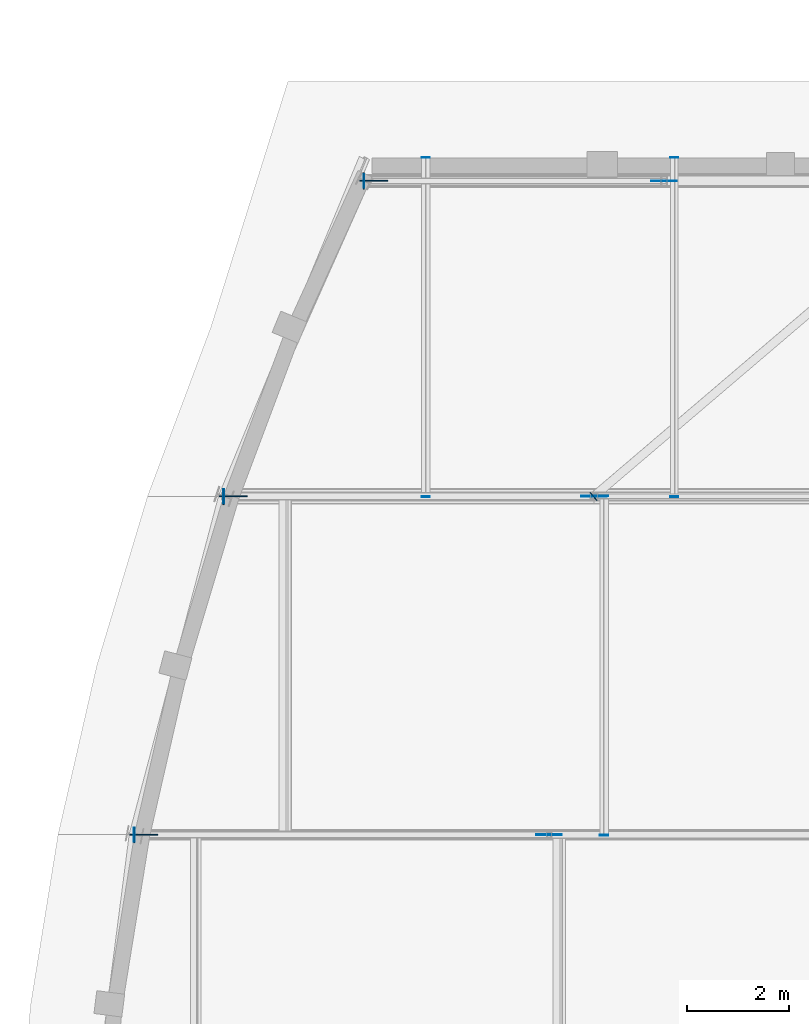
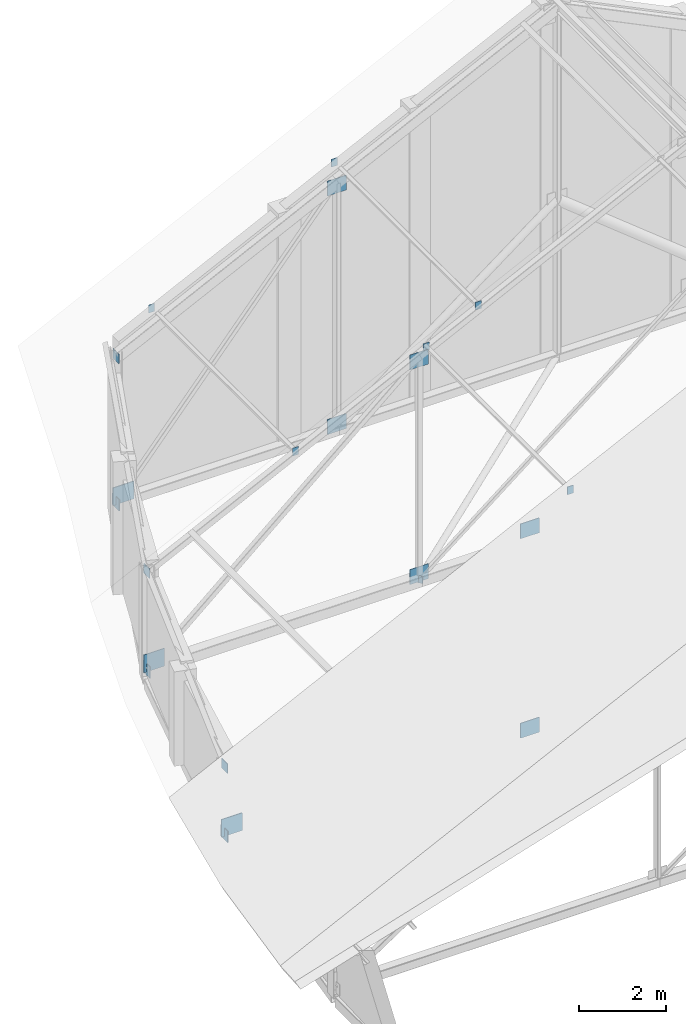
# One storey, part 44 of 78: 22 plates.
"""IFC4 building model written with IfcOpenShell, lengths in metres."""

from ifc_helpers import new_model, si_unit, direction, frame, origin, origin_2d, place, context, subcontext, project, spatial, rectangle, extrude, material, layer, layer_set, type_object, element, save


model = new_model("IFC4")

# Units and contexts
model_context = context("Model", 3, precision=1e-05, world=origin(), true_north=direction((0.0, 1.0)))
body_context = subcontext(model_context, "Body", "Model", "MODEL_VIEW")
ifc_project = project(units=[si_unit("LENGTHUNIT", "METRE"), si_unit("AREAUNIT", "SQUARE_METRE"), si_unit("VOLUMEUNIT", "CUBIC_METRE"), si_unit("PLANEANGLEUNIT", "RADIAN"), si_unit("MASSUNIT", "GRAM", prefix="KILO")], contexts=[model_context])

# Site, building, storey
site_placement = place(None, origin())
site = spatial("IfcSite", under=ifc_project, at=site_placement, CompositionType="ELEMENT")
building_placement = place(site_placement, origin())
building = spatial("IfcBuilding", under=site, at=building_placement, Name="Kelanivale Promenade Academy", CompositionType="ELEMENT")
storey_placement = place(building_placement, frame((0.0, 0.0, 16.199951171875)))
storey = spatial("IfcBuildingStorey", under=building, at=storey_placement, Name="L04", CompositionType="ELEMENT", Elevation=16.199951171875)

# Plates
ifc_material = material(Name="Steel S355", Category="steel")
ifc_layer_1 = layer(ifc_material, 0.01611328125)
ifc_layer_set_1 = layer_set([ifc_layer_1], Name="Steel S355")
plate_type_1 = type_object("IfcPlateType", Name="TN-CP16 Plate 16mm", PredefinedType="USERDEFINED", material=ifc_layer_set_1)
for number, where, z_axis, x_axis, name in (
    (1, (3.35107421875, 66.14306640625, 1.97509765625), (0.0, 0.0, 1.0), (-1.0, 0.0, 0.0), "ROOF TRUSS TN-1 hollow-section end cap plate"),
    (2, (5.10302734375, 72.77099609375, 2.8310546875), (0.0, 0.0, 1.0), (-1.0, 0.0, 0.0), "ROOF TRUSS TN-1 hollow-section end cap plate"),
    (3, (7.85400390625, 78.949951171875, 4.174072265625), (0.0, 0.0, 1.0), (-1.0, 0.0, 0.0), "ROOF TRUSS TN-1 hollow-section end cap plate"),
):
    element("IfcPlate", number, at=place(storey_placement, frame(where, z_axis=z_axis, x_axis=x_axis)), inside=storey, type_object=plate_type_1, Name=name, ObjectType="CAP PLATE", PredefinedType="USERDEFINED", context=body_context, shape_type="SweptSolid", body=[
        extrude(rectangle(XDim=0.01611328125, YDim=0.27001953125, at=origin_2d()), origin(), (0.0, 0.0, 1.0), 0.27001953125),
    ])
for number, where, z_axis, x_axis, name in (
    (4, (12.555908203125, 66.135009765625, 6.55615234375), (0.0, 0.0, 1.0), (0.0, -1.0, 0.0), "ROOF TRUSS TN-4 hollow-section end cap plate"),
    (5, (12.555908203125, 72.779052734375, 6.55615234375), (0.0, 0.0, 1.0), (0.0, 1.0, 0.0), "ROOF TRUSS TN-4 hollow-section end cap plate"),
    (6, (9.06201171875, 72.762939453125, 4.85009765625), (0.0, 0.0, 1.0), (0.0, -1.0, 0.0), "ROOF TRUSS TN-4 hollow-section end cap plate"),
    (7, (9.06201171875, 79.407958984375, 4.85009765625), (0.0, 0.0, 1.0), (0.0, 1.0, 0.0), "ROOF TRUSS TN-4 hollow-section end cap plate"),
    (8, (13.930908203125, 72.762939453125, 7.2548828125), (0.0, 0.0, 1.0), (0.0, -1.0, 0.0), "ROOF TRUSS TN-4 hollow-section end cap plate"),
    (9, (13.930908203125, 79.407958984375, 7.2548828125), (0.0, 0.0, 1.0), (0.0, 1.0, 0.0), "ROOF TRUSS TN-4 hollow-section end cap plate"),
):
    element("IfcPlate", number, at=place(storey_placement, frame(where, z_axis=z_axis, x_axis=x_axis)), inside=storey, type_object=plate_type_1, Name=name, ObjectType="CAP PLATE", PredefinedType="USERDEFINED", context=body_context, shape_type="SweptSolid", body=[
        extrude(rectangle(XDim=0.01611328125, YDim=0.159912109375, at=origin_2d()), origin(), (0.0, 0.0, 1.0), 0.219970703125),
    ])
plate_placement = place(storey_placement, frame((12.35009765625, 72.76611328125, 0.10009765625), z_axis=(0.0, 0.0, 1.0), x_axis=(-0.760859180527, -0.648917026597, 0.0)))
element("IfcPlate", 10, at=plate_placement, inside=storey, type_object=plate_type_1, Name="ROOF TRUSS TN-3 hollow-section end cap plate", ObjectType="CAP PLATE", PredefinedType="USERDEFINED", context=body_context, shape_type="SweptSolid", body=[
    extrude(rectangle(XDim=0.01611328125, YDim=0.199951171875, at=origin_2d()), origin(), (0.0, 0.0, 1.0), 0.199951171875),
])
ifc_layer_2 = layer(ifc_material, 0.02001953125)
ifc_layer_set_2 = layer_set([ifc_layer_2], Name="Steel S355")
plate_type_2 = type_object("IfcPlateType", Name="TN-CP20 Plate 20mm", PredefinedType="USERDEFINED", material=ifc_layer_set_2)
for number, where, z_axis, x_axis, name in (
    (11, (3.34912109375, 66.14306640625, 0.0400390625), (0.0, 0.0, 1.0), (-1.0, 0.0, 0.0), "ROOF TRUSS TN-1 hollow-section end cap plate"),
    (12, (5.10107421875, 72.77099609375, 0.0400390625), (0.0, 0.0, 1.0), (-1.0, 0.0, 0.0), "ROOF TRUSS TN-1 hollow-section end cap plate"),
    (13, (7.85205078125, 78.949951171875, 0.0400390625), (0.0, 0.0, 1.0), (-1.0, 0.0, 0.0), "ROOF TRUSS TN-1 hollow-section end cap plate"),
):
    element("IfcPlate", number, at=place(storey_placement, frame(where, z_axis=z_axis, x_axis=x_axis)), inside=storey, type_object=plate_type_2, Name=name, ObjectType="CAP PLATE", PredefinedType="USERDEFINED", context=body_context, shape_type="SweptSolid", body=[
        extrude(rectangle(XDim=0.02001953125, YDim=0.320068359375, at=origin_2d()), origin(), (0.0, 0.0, 1.0), 0.320068359375),
    ])
ifc_layer_3 = layer(ifc_material, 0.01611328125)
ifc_layer_set_3 = layer_set([ifc_layer_3], Name="Steel S355")
plate_type_3 = type_object("IfcPlateType", Name="TN-GP16 Plate 16mm", PredefinedType="USERDEFINED", material=ifc_layer_set_3)
for number, where, z_axis, x_axis, name in (
    (14, (11.47998046875, 66.14306640625, 0.130126953125), (0.0, 0.0, 1.0), (1.0, 0.0, 0.0), "ROOF TRUSS TN-3 welded node gusset plate"),
    (15, (11.47998046875, 66.14306640625, 5.74609375), (0.0, 0.0, 1.0), (1.0, 0.0, 0.0), "ROOF TRUSS TN-4 welded node gusset plate"),
    (16, (12.35595703125, 72.77099609375, 0.130126953125), (0.0, 0.0, 1.0), (1.0, 0.0, 0.0), "ROOF TRUSS TN-3 welded node gusset plate"),
    (17, (12.35595703125, 72.77099609375, 6.174072265625), (0.0, 0.0, 1.0), (1.0, 0.0, 0.0), "ROOF TRUSS TN-4 welded node gusset plate"),
    (18, (13.73095703125, 78.949951171875, 0.130126953125), (0.0, 0.0, 1.0), (1.0, 0.0, 0.0), "ROOF TRUSS TN-3 welded node gusset plate"),
    (19, (13.73095703125, 78.949951171875, 6.84619140625), (0.0, 0.0, 1.0), (1.0, 0.0, 0.0), "ROOF TRUSS TN-4 welded node gusset plate"),
):
    element("IfcPlate", number, at=place(storey_placement, frame(where, z_axis=z_axis, x_axis=x_axis)), inside=storey, type_object=plate_type_3, Name=name, ObjectType="GUSSET PLATE", PredefinedType="USERDEFINED", context=body_context, shape_type="SweptSolid", body=[
        extrude(rectangle(XDim=0.5, YDim=0.01611328125, at=origin_2d()), origin(), (0.0, 0.0, 1.0), 0.419921875),
    ])
ifc_layer_4 = layer(ifc_material, 0.02001953125)
ifc_layer_set_4 = layer_set([ifc_layer_4], Name="Steel S355")
plate_type_4 = type_object("IfcPlateType", Name="TN-GP20 Plate 20mm", PredefinedType="USERDEFINED", material=ifc_layer_set_4)
for number, where, z_axis, x_axis, name in (
    (20, (3.5390625, 66.14306640625, 0.130126953125), (0.0, 0.0, 1.0), (1.0, 0.0, 0.0), "ROOF TRUSS TN-1 welded node gusset plate"),
    (21, (5.291015625, 72.77099609375, 0.130126953125), (0.0, 0.0, 1.0), (1.0, 0.0, 0.0), "ROOF TRUSS TN-1 welded node gusset plate"),
    (22, (8.0419921875, 78.949951171875, 0.130126953125), (0.0, 0.0, 1.0), (1.0, 0.0, 0.0), "ROOF TRUSS TN-1 welded node gusset plate"),
):
    element("IfcPlate", number, at=place(storey_placement, frame(where, z_axis=z_axis, x_axis=x_axis)), inside=storey, type_object=plate_type_4, Name=name, ObjectType="GUSSET PLATE", PredefinedType="USERDEFINED", context=body_context, shape_type="SweptSolid", body=[
        extrude(rectangle(XDim=0.550048828125, YDim=0.02001953125, at=origin_2d()), origin(), (0.0, 0.0, 1.0), 0.5),
    ])

save(model, "model.ifc")
